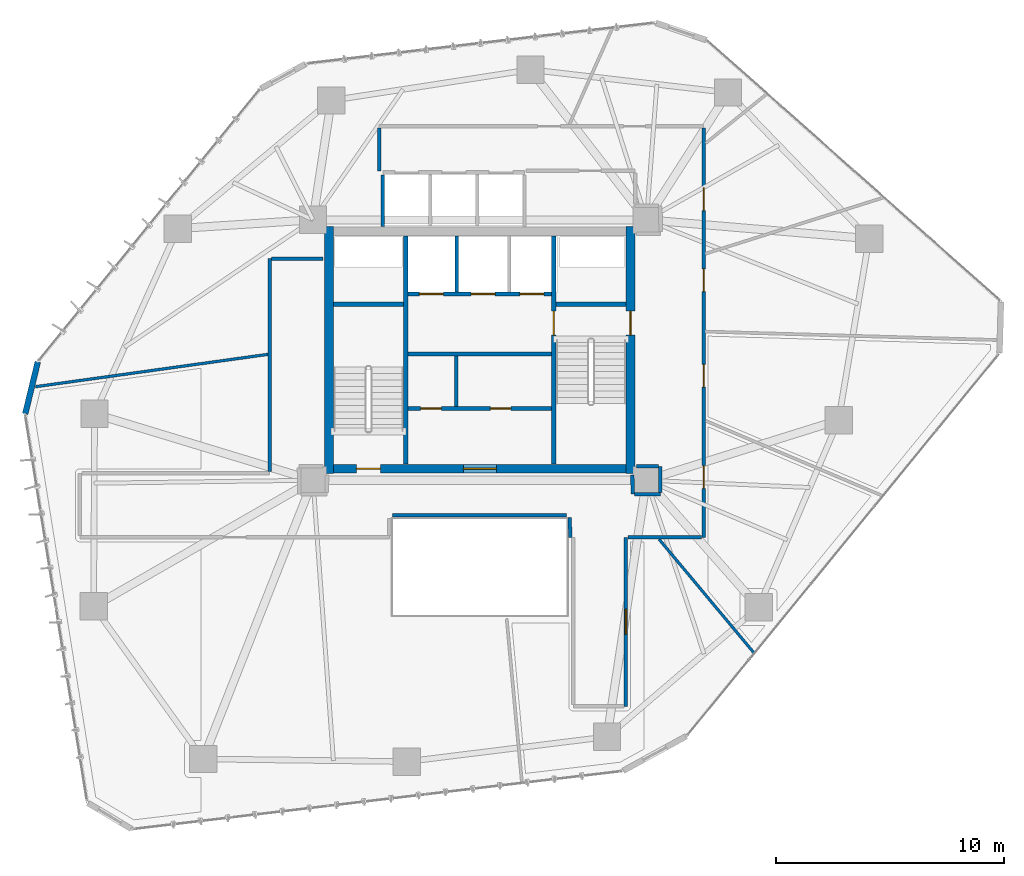
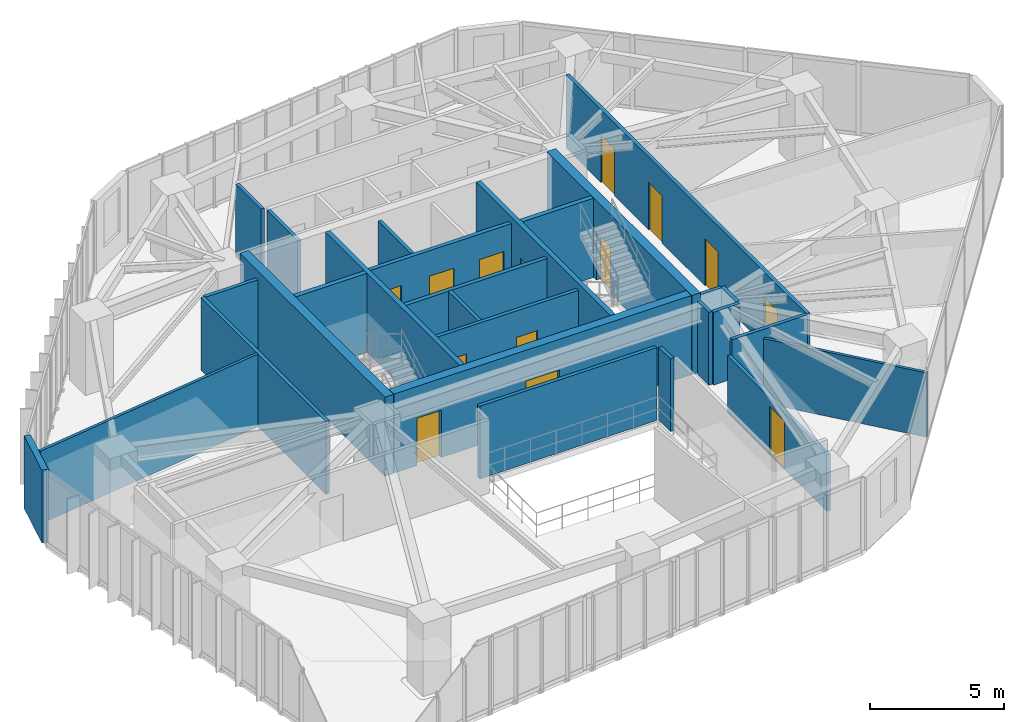
# One storey, part 19 of 24: 28 walls, 14 doors, 14 openings.
"""IFC4 building model written with IfcOpenShell, lengths in metres."""

from ifc_helpers import new_model, si_unit, direction, frame, frame_2d, origin, place, context, subcontext, project, spatial, rectangle, extrude, source, transform, mapped, material, layer, layer_set, type_object, type_shapes, element, fill, save


model = new_model("IFC4")

# Units and contexts
model_context = context("Model", 3, precision=1e-05, world=origin(), true_north=direction((0.0, 1.0)))
body_context = subcontext(model_context, "Body", "Model", "MODEL_VIEW")
ifc_project = project(units=[si_unit("LENGTHUNIT", "METRE"), si_unit("AREAUNIT", "SQUARE_METRE"), si_unit("VOLUMEUNIT", "CUBIC_METRE"), si_unit("PLANEANGLEUNIT", "RADIAN"), si_unit("MASSUNIT", "GRAM", prefix="KILO")], contexts=[model_context])

# Site, building, storey
site_placement = place(None, origin())
site = spatial("IfcSite", under=ifc_project, at=site_placement, CompositionType="ELEMENT")
building_placement = place(site_placement, origin())
building = spatial("IfcBuilding", under=site, at=building_placement, Name="Talar Marvaseh", CompositionType="ELEMENT")
storey_placement = place(building_placement, frame((0.0, 0.0, 111.0)))
storey = spatial("IfcBuildingStorey", under=building, at=storey_placement, Name="L28", CompositionType="ELEMENT", Elevation=111.0)

# Wall
ifc_material_1 = material(Name="Precast concrete C45/55", Category="concrete")
ifc_layer_1 = layer(ifc_material_1, 0.2548828125)
ifc_layer_set_1 = layer_set([ifc_layer_1], Name="Precast concrete C45/55")
wall_type_1 = type_object("IfcWallType", Name="Chamfered Hexagonal Corner Pier Wall Z2 255", PredefinedType="SOLIDWALL", material=ifc_layer_set_1)
wall_1_placement = place(storey_placement, frame((6.103515625, 28.408203125, 0.0), z_axis=(0.0, 0.0, 1.0), x_axis=(0.235510469141, 0.971871811982, 0.0)))
element("IfcWall", 1, at=wall_1_placement, inside=storey, type_object=wall_type_1, Name="L28 Chamfered Corner Limestone Pier 2", PredefinedType="SOLIDWALL", context=body_context, shape_type="SweptSolid", body=[
    extrude(rectangle(XDim=2.3408203125, YDim=0.2548828125, at=frame_2d((1.17041015625, 0.0))), origin(), (0.0, 0.0, 1.0), 3.31005859375),
])

# Wall, openings, doors
ifc_material_2 = material(Name="Gypsum Board Partition Assembly")
ifc_layer_2 = layer(ifc_material_2, 0.155029296875)
ifc_layer_set_2 = layer_set([ifc_layer_2], Name="Gypsum Board Partition Assembly")
wall_type_2 = type_object("IfcWallType", Name="Corridor Fire-Rated Acoustic Partition 155", PredefinedType="PARTITIONING", material=ifc_layer_set_2)
wall_2_placement = place(storey_placement, frame((22.865966796875, 28.639892578125, 0.0), z_axis=(0.0, 0.0, 1.0), x_axis=(1.0, 0.0, 0.0)))
wall_2 = element("IfcWall", 2, at=wall_2_placement, inside=storey, type_object=wall_type_2, Name="L28 Core BOH Partition", PredefinedType="PARTITIONING", context=body_context, shape_type="SweptSolid", body=[
    extrude(rectangle(XDim=6.26806640625, YDim=0.155029296875, at=frame_2d((3.134033203125, 0.0))), origin(), (0.0, 0.0, 1.0), 3.31005859375),
])
opening_1_placement = place(wall_2_placement, frame((0.550048828125, 0.0, 0.0)))
opening_1 = element("IfcOpeningElement", 3, at=opening_1_placement, cuts=wall_2, Name="Opening DR-BOH090", PredefinedType="OPENING", context=body_context, shape_type="SweptSolid", body=[
    extrude(rectangle(XDim=0.89990234375, YDim=2.10009765625, at=frame_2d((0.449951171875, 1.050048828125))), frame((0.0, 0.08740234375, 0.0), z_axis=(0.0, -1.0, 0.0), x_axis=(1.0, 0.0, 0.0)), (0.0, 0.0, 1.0), 0.175048828125),
])
opening_2_placement = place(wall_2_placement, frame((3.60009765625, 0.0, 0.0)))
opening_2 = element("IfcOpeningElement", 4, at=opening_2_placement, cuts=wall_2, Name="Opening DR-BOH090", PredefinedType="OPENING", context=body_context, shape_type="SweptSolid", body=[
    extrude(rectangle(XDim=0.89990234375, YDim=2.10009765625, at=frame_2d((0.449951171875, 1.050048828125))), frame((0.0, 0.08740234375, 0.0), z_axis=(0.0, -1.0, 0.0), x_axis=(1.0, 0.0, 0.0)), (0.0, 0.0, 1.0), 0.175048828125),
])
ifc_material_3 = material(Name="Fire-Rated Steel Door Leaf", Category="steel")
door_type_1 = type_object("IfcDoorType", Name="Core Back-of-House Service Door 900x2100", OperationType="NOTDEFINED", PredefinedType="DOOR", material=ifc_material_3)
shared_shape_1 = source(origin(), body_context, "Body", "SweptSolid", [
    extrude(rectangle(XDim=0.89990234375, YDim=2.10009765625, at=frame_2d((0.449951171875, 1.050048828125))), frame((0.0, 0.02490234375, 0.0), z_axis=(0.0, -1.0, 0.0), x_axis=(1.0, 0.0, 0.0)), (0.0, 0.0, 1.0), 0.050048828125),
])
type_shapes(door_type_1, [shared_shape_1])
door_1_placement = place(opening_1_placement, origin())
door_1 = element("IfcDoor", 5, at=door_1_placement, inside=storey, type_object=door_type_1, Name="L28 Cleaner Janitor Store Door", OperationType="SINGLE_SWING_LEFT", OverallHeight=2.10009765625, OverallWidth=0.89990234375, PredefinedType="DOOR", context=body_context, shape_type="MappedRepresentation", body=[
    mapped(shared_shape_1, transform((0.0, 0.0, 0.0), x_axis=(1.0, 0.0, 0.0), y_axis=(0.0, 1.0, 0.0), z_axis=(0.0, 0.0, 1.0), scale=1.0)),
])
fill(opening_1, door_1)
door_2_placement = place(opening_2_placement, origin())
door_2 = element("IfcDoor", 6, at=door_2_placement, inside=storey, type_object=door_type_1, Name="L28 Plant Core Electrical Meter Room Door", OperationType="SINGLE_SWING_RIGHT", OverallHeight=2.10009765625, OverallWidth=0.89990234375, PredefinedType="DOOR", context=body_context, shape_type="MappedRepresentation", body=[
    mapped(shared_shape_1, transform((0.0, 0.0, 0.0), x_axis=(1.0, 0.0, 0.0), y_axis=(0.0, 1.0, 0.0), z_axis=(0.0, 0.0, 1.0), scale=1.0)),
])
fill(opening_2, door_2)

# Wall
wall_3_placement = place(storey_placement, frame((24.97998046875, 28.719970703125, 0.0), z_axis=(0.0, 0.0, 1.0), x_axis=(0.0, 1.0, 0.0)))
element("IfcWall", 7, at=wall_3_placement, inside=storey, type_object=wall_type_2, Name="L28 Core BOH Partition", PredefinedType="PARTITIONING", context=body_context, shape_type="SweptSolid", body=[
    extrude(rectangle(XDim=2.219970703125, YDim=0.155029296875, at=frame_2d((1.10986328125, 0.0))), origin(), (0.0, 0.0, 1.0), 3.31005859375),
])

# Wall, openings, doors
wall_4_placement = place(storey_placement, frame((35.800048828125, 40.91650390625, 0.0), z_axis=(0.0, 0.0, 1.0), x_axis=(0.0, -1.0, 0.0)))
wall_4 = element("IfcWall", 8, at=wall_4_placement, inside=storey, type_object=wall_type_2, Name="L28 Interior Partition Wall", PredefinedType="PARTITIONING", context=body_context, shape_type="SweptSolid", body=[
    extrude(rectangle(XDim=17.91650390625, YDim=0.155029296875, at=frame_2d((8.958251953125, 0.0))), origin(), (0.0, 0.0, 1.0), 3.31005859375),
])
opening_3_placement = place(wall_4_placement, frame((14.77587890625, 0.0, 0.0)))
opening_3 = element("IfcOpeningElement", 9, at=opening_3_placement, cuts=wall_4, Name="Opening DR-RM100", PredefinedType="OPENING", context=body_context, shape_type="SweptSolid", body=[
    extrude(rectangle(XDim=1.0, YDim=2.14990234375, at=frame_2d((0.5, 1.074951171875))), frame((0.0, 0.08740234375, 0.0), z_axis=(0.0, -1.0, 0.0), x_axis=(1.0, 0.0, 0.0)), (0.0, 0.0, 1.0), 0.175048828125),
])
opening_4_placement = place(wall_4_placement, frame((10.34521484375, 0.0, 0.0)))
opening_4 = element("IfcOpeningElement", 10, at=opening_4_placement, cuts=wall_4, Name="Opening DR-RM100", PredefinedType="OPENING", context=body_context, shape_type="SweptSolid", body=[
    extrude(rectangle(XDim=1.0, YDim=2.14990234375, at=frame_2d((0.5, 1.074951171875))), frame((0.0, 0.08740234375, 0.0), z_axis=(0.0, -1.0, 0.0), x_axis=(1.0, 0.0, 0.0)), (0.0, 0.0, 1.0), 0.175048828125),
])
opening_5_placement = place(wall_4_placement, frame((6.162841796875, 0.0, 0.0)))
opening_5 = element("IfcOpeningElement", 11, at=opening_5_placement, cuts=wall_4, Name="Opening DR-RM100", PredefinedType="OPENING", context=body_context, shape_type="SweptSolid", body=[
    extrude(rectangle(XDim=1.0, YDim=2.14990234375, at=frame_2d((0.5, 1.074951171875))), frame((0.0, 0.08740234375, 0.0), z_axis=(0.0, -1.0, 0.0), x_axis=(1.0, 0.0, 0.0)), (0.0, 0.0, 1.0), 0.175048828125),
])
opening_6_placement = place(wall_4_placement, frame((2.610595703125, 0.0, 0.0)))
opening_6 = element("IfcOpeningElement", 12, at=opening_6_placement, cuts=wall_4, Name="Opening DR-RM100", PredefinedType="OPENING", context=body_context, shape_type="SweptSolid", body=[
    extrude(rectangle(XDim=1.0, YDim=2.14990234375, at=frame_2d((0.5, 1.074951171875))), frame((0.0, 0.08740234375, 0.0), z_axis=(0.0, -1.0, 0.0), x_axis=(1.0, 0.0, 0.0)), (0.0, 0.0, 1.0), 0.175048828125),
])
ifc_material_4 = material(Name="Acoustic Engineered Oak Timber", Category="wood")
door_type_2 = type_object("IfcDoorType", Name="Corridor Fire-Rated Gallery Door 1000x2150", OperationType="NOTDEFINED", PredefinedType="DOOR", material=ifc_material_4)
shared_shape_2 = source(origin(), body_context, "Body", "SweptSolid", [
    extrude(rectangle(XDim=1.0, YDim=2.14990234375, at=frame_2d((0.5, 1.074951171875))), frame((0.0, 0.02490234375, 0.0), z_axis=(0.0, -1.0, 0.0), x_axis=(1.0, 0.0, 0.0)), (0.0, 0.0, 1.0), 0.050048828125),
])
type_shapes(door_type_2, [shared_shape_2])
door_3_placement = place(opening_3_placement, origin())
door_3 = element("IfcDoor", 13, at=door_3_placement, inside=storey, type_object=door_type_2, Name="L28 Archival Research Office Door", OperationType="SINGLE_SWING_LEFT", OverallHeight=2.14990234375, OverallWidth=1.0, PredefinedType="DOOR", context=body_context, shape_type="MappedRepresentation", body=[
    mapped(shared_shape_2, transform((0.0, 0.0, 0.0), x_axis=(1.0, 0.0, 0.0), y_axis=(0.0, 1.0, 0.0), z_axis=(0.0, 0.0, 1.0), scale=1.0)),
])
fill(opening_3, door_3)
door_4_placement = place(opening_4_placement, origin())
door_4 = element("IfcDoor", 14, at=door_4_placement, inside=storey, type_object=door_type_2, Name="L28 Visitor Orientation Foyer Door", OperationType="SINGLE_SWING_RIGHT", OverallHeight=2.14990234375, OverallWidth=1.0, PredefinedType="DOOR", context=body_context, shape_type="MappedRepresentation", body=[
    mapped(shared_shape_2, transform((0.0, 0.0, 0.0), x_axis=(1.0, 0.0, 0.0), y_axis=(0.0, 1.0, 0.0), z_axis=(0.0, 0.0, 1.0), scale=1.0)),
])
fill(opening_4, door_4)
door_5_placement = place(opening_5_placement, origin())
door_5 = element("IfcDoor", 15, at=door_5_placement, inside=storey, type_object=door_type_2, Name="L28 Cultural Fellowship Office Door", OperationType="SINGLE_SWING_LEFT", OverallHeight=2.14990234375, OverallWidth=1.0, PredefinedType="DOOR", context=body_context, shape_type="MappedRepresentation", body=[
    mapped(shared_shape_2, transform((0.0, 0.0, 0.0), x_axis=(1.0, 0.0, 0.0), y_axis=(0.0, 1.0, 0.0), z_axis=(0.0, 0.0, 1.0), scale=1.0)),
])
fill(opening_5, door_5)
door_6_placement = place(opening_6_placement, origin())
door_6 = element("IfcDoor", 16, at=door_6_placement, inside=storey, type_object=door_type_2, Name="L28 Scholars' Registration Reception Door", OperationType="SINGLE_SWING_RIGHT", OverallHeight=2.14990234375, OverallWidth=1.0, PredefinedType="DOOR", context=body_context, shape_type="MappedRepresentation", body=[
    mapped(shared_shape_2, transform((0.0, 0.0, 0.0), x_axis=(1.0, 0.0, 0.0), y_axis=(0.0, 1.0, 0.0), z_axis=(0.0, 0.0, 1.0), scale=1.0)),
])
fill(opening_6, door_6)

# Wall, opening, door
wall_5_placement = place(storey_placement, frame((32.39990234375, 23.0, 0.0), z_axis=(0.0, 0.0, 1.0), x_axis=(0.0, -1.0, 0.0)))
wall_5 = element("IfcWall", 17, at=wall_5_placement, inside=storey, type_object=wall_type_2, Name="L28 Interior Partition Wall", PredefinedType="PARTITIONING", context=body_context, shape_type="SweptSolid", body=[
    extrude(rectangle(XDim=7.39990234375, YDim=0.155029296875, at=frame_2d((3.699951171875, 0.0))), origin(), (0.0, 0.0, 1.0), 2.590087890625),
])
opening_7_placement = place(wall_5_placement, frame((3.14990234375, 0.0, 0.0)))
opening_7 = element("IfcOpeningElement", 18, at=opening_7_placement, cuts=wall_5, Name="Opening DR-RM110", PredefinedType="OPENING", context=body_context, shape_type="SweptSolid", body=[
    extrude(rectangle(XDim=1.10009765625, YDim=2.199951171875, at=frame_2d((0.550048828125, 1.10009765625))), frame((0.0, 0.08740234375, 0.0), z_axis=(0.0, -1.0, 0.0), x_axis=(1.0, 0.0, 0.0)), (0.0, 0.0, 1.0), 0.175048828125),
])
door_type_3 = type_object("IfcDoorType", Name="Assembly and Reading Hall Door 1100x2200", OperationType="NOTDEFINED", PredefinedType="DOOR", material=ifc_material_4)
shared_shape_3 = source(origin(), body_context, "Body", "SweptSolid", [
    extrude(rectangle(XDim=1.10009765625, YDim=2.199951171875, at=frame_2d((0.550048828125, 1.10009765625))), frame((0.0, 0.02490234375, 0.0), z_axis=(0.0, -1.0, 0.0), x_axis=(1.0, 0.0, 0.0)), (0.0, 0.0, 1.0), 0.050048828125),
])
type_shapes(door_type_3, [shared_shape_3])
door_7_placement = place(opening_7_placement, origin())
door_7 = element("IfcDoor", 19, at=door_7_placement, inside=storey, type_object=door_type_3, Name="L28 Gallery Concierge Reception Door", OperationType="SINGLE_SWING_RIGHT", OverallHeight=2.199951171875, OverallWidth=1.10009765625, PredefinedType="DOOR", context=body_context, shape_type="MappedRepresentation", body=[
    mapped(shared_shape_3, transform((0.0, 0.0, 0.0), x_axis=(1.0, 0.0, 0.0), y_axis=(0.0, 1.0, 0.0), z_axis=(0.0, 0.0, 1.0), scale=1.0)),
])
fill(opening_7, door_7)

# Walls
wall_6_placement = place(storey_placement, frame((29.800048828125, 23.9599609375, 0.0), z_axis=(0.0, 0.0, 1.0), x_axis=(-0.999999995375, -9.617234e-05, 0.0)))
element("IfcWall", 20, at=wall_6_placement, inside=storey, type_object=wall_type_2, Name="L28 Interior Partition Wall", PredefinedType="PARTITIONING", context=body_context, shape_type="SweptSolid", body=[
    extrude(rectangle(XDim=7.61572265625, YDim=0.155029296875, at=frame_2d((3.807861328125, 0.0))), origin(), (0.0, 0.0, 1.0), 3.31005859375),
])
wall_7_placement = place(storey_placement, frame((16.800048828125, 25.883544921875, 0.0), z_axis=(0.0, 0.0, 1.0), x_axis=(0.0, 1.0, 0.0)))
element("IfcWall", 21, at=wall_7_placement, inside=storey, type_object=wall_type_2, Name="L28 Interior Partition Wall", PredefinedType="PARTITIONING", context=body_context, shape_type="SweptSolid", body=[
    extrude(rectangle(XDim=9.31640625, YDim=0.155029296875, at=frame_2d((4.658203125, 0.0))), origin(), (0.0, 0.0, 1.0), 3.31005859375),
])
wall_8_placement = place(storey_placement, frame((16.883544921875, 35.199951171875, 0.0), z_axis=(0.0, 0.0, 1.0), x_axis=(1.0, 0.0, 0.0)))
element("IfcWall", 22, at=wall_8_placement, inside=storey, type_object=wall_type_2, Name="L28 Interior Partition Wall", PredefinedType="PARTITIONING", context=body_context, shape_type="SweptSolid", body=[
    extrude(rectangle(XDim=2.246337890625, YDim=0.155029296875, at=frame_2d((1.123046875, 0.0))), origin(), (0.0, 0.0, 1.0), 3.31005859375),
])
wall_9_placement = place(storey_placement, frame((32.68505859375, 25.72998046875, 0.0), z_axis=(0.0, 0.0, 1.0), x_axis=(0.006382231486, -0.999979633353, 0.0)))
element("IfcWall", 23, at=wall_9_placement, inside=storey, type_object=wall_type_2, Name="L28 Interior Partition Wall", PredefinedType="PARTITIONING", context=body_context, shape_type="SweptSolid", body=[
    extrude(rectangle(XDim=0.841552734375, YDim=0.155029296875, at=frame_2d((0.4208984375, 0.0))), origin(), (0.0, 0.0, 1.0), 3.31005859375),
])
wall_10_placement = place(storey_placement, frame((32.77392578125, 24.88818359375, 0.0), z_axis=(0.0, 0.0, 1.0), x_axis=(0.999999164303, -0.001292823742, 0.0)))
element("IfcWall", 24, at=wall_10_placement, inside=storey, type_object=wall_type_2, Name="L28 Interior Partition Wall", PredefinedType="PARTITIONING", context=body_context, shape_type="SweptSolid", body=[
    extrude(rectangle(XDim=1.133056640625, YDim=0.155029296875, at=frame_2d((0.56640625, 0.0))), origin(), (0.0, 0.0, 1.0), 3.31005859375),
])
wall_11_placement = place(storey_placement, frame((33.907470703125, 24.97021484375, 0.0), z_axis=(0.0, 0.0, 1.0), x_axis=(0.003642572792, 0.99999336581, 0.0)))
element("IfcWall", 25, at=wall_11_placement, inside=storey, type_object=wall_type_2, Name="L28 Interior Partition Wall", PredefinedType="PARTITIONING", context=body_context, shape_type="SweptSolid", body=[
    extrude(rectangle(XDim=1.139404296875, YDim=0.155029296875, at=frame_2d((0.56982421875, 0.0))), origin(), (0.0, 0.0, 1.0), 3.31005859375),
])
wall_12_placement = place(storey_placement, frame((33.828125, 26.110107421875, 0.0), z_axis=(0.0, 0.0, 1.0), x_axis=(-0.999987011364, 0.005096773758, 0.0)))
element("IfcWall", 26, at=wall_12_placement, inside=storey, type_object=wall_type_2, Name="L28 Interior Partition Wall", PredefinedType="PARTITIONING", context=body_context, shape_type="SweptSolid", body=[
    extrude(rectangle(XDim=0.9580078125, YDim=0.155029296875, at=frame_2d((0.47900390625, 0.0))), origin(), (0.0, 0.0, 1.0), 3.31005859375),
])
wall_13_placement = place(storey_placement, frame((21.60009765625, 39.0400390625, 0.0), z_axis=(0.0, 0.0, 1.0), x_axis=(0.0, 1.0, 0.0)))
element("IfcWall", 27, at=wall_13_placement, inside=storey, type_object=wall_type_2, Name="L28 Interior Partition Wall", PredefinedType="PARTITIONING", context=body_context, shape_type="SweptSolid", body=[
    extrude(rectangle(XDim=1.87646484375, YDim=0.155029296875, at=frame_2d((0.938232421875, 0.0))), origin(), (0.0, 0.0, 1.0), 3.31005859375),
])
wall_14_placement = place(storey_placement, frame((35.716552734375, 23.0, 0.0), z_axis=(0.0, 0.0, 1.0), x_axis=(-1.0, 0.0, 0.0)))
element("IfcWall", 28, at=wall_14_placement, inside=storey, type_object=wall_type_2, Name="L28 Interior Partition Wall", PredefinedType="PARTITIONING", context=body_context, shape_type="SweptSolid", body=[
    extrude(rectangle(XDim=3.233154296875, YDim=0.155029296875, at=frame_2d((1.61669921875, 0.0))), origin(), (0.0, 0.0, 1.0), 3.31005859375),
])
wall_15_placement = place(storey_placement, frame((29.9599609375, 23.0, 0.0), z_axis=(0.0, 0.0, 1.0), x_axis=(-0.021467444279, 0.999769547864, 0.0)))
element("IfcWall", 29, at=wall_15_placement, inside=storey, type_object=wall_type_2, Name="L28 Interior Partition Wall", PredefinedType="PARTITIONING", context=body_context, shape_type="SweptSolid", body=[
    extrude(rectangle(XDim=0.875732421875, YDim=0.155029296875, at=frame_2d((0.43798828125, 0.0))), origin(), (0.0, 0.0, 1.0), 3.31005859375),
])
ifc_layer_3 = layer(ifc_material_2, 0.1201171875)
ifc_layer_set_3 = layer_set([ifc_layer_3], Name="Gypsum Board Partition Assembly")
wall_type_3 = type_object("IfcWallType", Name="Demountable Studio Room Partition 120", PredefinedType="PARTITIONING", material=ifc_layer_set_3)
wall_16_placement = place(storey_placement, frame((6.555419921875, 29.59375, 0.0), z_axis=(0.0, 0.0, 1.0), x_axis=(0.990448168955, 0.137885548966, 0.0)))
element("IfcWall", 30, at=wall_16_placement, inside=storey, type_object=wall_type_3, Name="L28 Interior Partition Wall", PredefinedType="PARTITIONING", context=body_context, shape_type="SweptSolid", body=[
    extrude(rectangle(XDim=10.2783203125, YDim=0.1201171875, at=frame_2d((5.13916015625, 0.0))), origin(), (0.0, 0.0, 1.0), 3.31005859375),
])
wall_17_placement = place(storey_placement, frame((33.849853515625, 22.91650390625, 0.0), z_axis=(0.0, 0.0, 1.0), x_axis=(0.641091931625, -0.767464093757, 0.0)))
element("IfcWall", 31, at=wall_17_placement, inside=storey, type_object=wall_type_3, Name="L28 Interior Partition Wall", PredefinedType="PARTITIONING", context=body_context, shape_type="SweptSolid", body=[
    extrude(rectangle(XDim=6.479736328125, YDim=0.1201171875, at=frame_2d((3.23974609375, 0.0))), origin(), (0.0, 0.0, 1.0), 2.927001953125),
])
ifc_layer_4 = layer(ifc_material_1, 0.14501953125)
ifc_layer_set_4 = layer_set([ifc_layer_4], Name="Precast concrete C45/55")
wall_type_4 = type_object("IfcWallType", Name="Fire-Rated Lift Divider Wall 145", PredefinedType="SOLIDWALL", material=ifc_layer_set_4)
wall_18_placement = place(storey_placement, frame((25.0, 33.743408203125, 0.0), z_axis=(0.0, 0.0, 1.0), x_axis=(0.0, 1.0, 0.0)))
element("IfcWall", 32, at=wall_18_placement, inside=storey, type_object=wall_type_4, Name="L28 FFL-1/FFL-2 Divider", PredefinedType="SOLIDWALL", context=body_context, shape_type="SweptSolid", body=[
    extrude(rectangle(XDim=2.45654296875, YDim=0.14501953125, at=frame_2d((1.228271484375, 0.0))), origin(), (0.0, 0.0, 1.0), 3.31005859375),
])
wall_19_placement = place(storey_placement, frame((21.760009765625, 36.60009765625, 0.0), z_axis=(0.0, 0.0, 1.0), x_axis=(0.0, 1.0, 0.0)))
element("IfcWall", 33, at=wall_19_placement, inside=storey, type_object=wall_type_4, Name="L28 Low-Rise Bank West Wall", PredefinedType="SOLIDWALL", context=body_context, shape_type="SweptSolid", body=[
    extrude(rectangle(XDim=2.266357421875, YDim=0.14501953125, at=frame_2d((1.13330078125, 0.0))), origin(), (0.0, 0.0, 1.0), 3.31005859375),
])

# Wall, openings, doors
ifc_layer_5 = layer(ifc_material_1, 0.175048828125)
ifc_layer_set_5 = layer_set([ifc_layer_5], Name="Precast concrete C45/55")
wall_type_5 = type_object("IfcWallType", Name="Fire-Rated Lift Hoistway Enclosure Wall 175", PredefinedType="SOLIDWALL", material=ifc_layer_set_5)
wall_20_placement = place(storey_placement, frame((22.860107421875, 33.64990234375, 0.0), z_axis=(0.0, 0.0, 1.0), x_axis=(1.0, 0.0, 0.0)))
wall_20 = element("IfcWall", 34, at=wall_20_placement, inside=storey, type_object=wall_type_5, Name="L28 Firefighting and Service Lift Front Wall", PredefinedType="SOLIDWALL", context=body_context, shape_type="SweptSolid", body=[
    extrude(rectangle(XDim=6.27978515625, YDim=0.175048828125, at=frame_2d((3.139892578125, 0.0))), origin(), (0.0, 0.0, 1.0), 3.31005859375),
])
opening_8_placement = place(wall_20_placement, frame((0.5, 0.0, 0.0)))
opening_8 = element("IfcOpeningElement", 35, at=opening_8_placement, cuts=wall_20, Name="Opening LD-FF1", PredefinedType="OPENING", context=body_context, shape_type="SweptSolid", body=[
    extrude(rectangle(XDim=1.050048828125, YDim=2.14990234375, at=frame_2d((0.52490234375, 1.074951171875))), frame((0.0, 0.09765625, 0.0), z_axis=(0.0, -1.0, 0.0), x_axis=(1.0, 0.0, 0.0)), (0.0, 0.0, 1.0), 0.195068359375),
])
opening_9_placement = place(wall_20_placement, frame((2.760009765625, 0.0, 0.0)))
opening_9 = element("IfcOpeningElement", 36, at=opening_9_placement, cuts=wall_20, Name="Opening LD-FF2", PredefinedType="OPENING", context=body_context, shape_type="SweptSolid", body=[
    extrude(rectangle(XDim=1.050048828125, YDim=2.14990234375, at=frame_2d((0.52490234375, 1.074951171875))), frame((0.0, 0.09765625, 0.0), z_axis=(0.0, -1.0, 0.0), x_axis=(1.0, 0.0, 0.0)), (0.0, 0.0, 1.0), 0.195068359375),
])
opening_10_placement = place(wall_20_placement, frame((4.89990234375, 0.0, 0.0)))
opening_10 = element("IfcOpeningElement", 37, at=opening_10_placement, cuts=wall_20, Name="Opening LD-SV1", PredefinedType="OPENING", context=body_context, shape_type="SweptSolid", body=[
    extrude(rectangle(XDim=1.050048828125, YDim=2.14990234375, at=frame_2d((0.52490234375, 1.074951171875))), frame((0.0, 0.09765625, 0.0), z_axis=(0.0, -1.0, 0.0), x_axis=(1.0, 0.0, 0.0)), (0.0, 0.0, 1.0), 0.195068359375),
])
ifc_material_5 = material(Name="Stainless Steel Grade 316", Category="steel")
door_type_4 = type_object("IfcDoorType", Name="Automatic Sliding Lift Landing Door 1050x2150", OperationType="NOTDEFINED", PredefinedType="DOOR", material=ifc_material_5)
shared_shape_4 = source(origin(), body_context, "Body", "SweptSolid", [
    extrude(rectangle(XDim=1.050048828125, YDim=2.14990234375, at=frame_2d((0.52490234375, 1.074951171875))), frame((0.0, 0.02490234375, 0.0), z_axis=(0.0, -1.0, 0.0), x_axis=(1.0, 0.0, 0.0)), (0.0, 0.0, 1.0), 0.050048828125),
])
type_shapes(door_type_4, [shared_shape_4])
door_8_placement = place(opening_8_placement, origin())
door_8 = element("IfcDoor", 38, at=door_8_placement, inside=storey, type_object=door_type_4, Name="L28 Lift FFL-1 Sliding Landing Door", OperationType="SLIDING_TO_LEFT", OverallHeight=2.14990234375, OverallWidth=1.050048828125, PredefinedType="DOOR", context=body_context, shape_type="MappedRepresentation", body=[
    mapped(shared_shape_4, transform((0.0, 0.0, 0.0), x_axis=(1.0, 0.0, 0.0), y_axis=(0.0, 1.0, 0.0), z_axis=(0.0, 0.0, 1.0), scale=1.0)),
])
fill(opening_8, door_8)
door_9_placement = place(opening_9_placement, origin())
door_9 = element("IfcDoor", 39, at=door_9_placement, inside=storey, type_object=door_type_4, Name="L28 Lift FFL-2 Sliding Landing Door", OperationType="SLIDING_TO_LEFT", OverallHeight=2.14990234375, OverallWidth=1.050048828125, PredefinedType="DOOR", context=body_context, shape_type="MappedRepresentation", body=[
    mapped(shared_shape_4, transform((0.0, 0.0, 0.0), x_axis=(1.0, 0.0, 0.0), y_axis=(0.0, 1.0, 0.0), z_axis=(0.0, 0.0, 1.0), scale=1.0)),
])
fill(opening_9, door_9)
door_10_placement = place(opening_10_placement, origin())
door_10 = element("IfcDoor", 40, at=door_10_placement, inside=storey, type_object=door_type_4, Name="L28 Lift SVL-1 Sliding Landing Door", OperationType="SLIDING_TO_LEFT", OverallHeight=2.14990234375, OverallWidth=1.050048828125, PredefinedType="DOOR", context=body_context, shape_type="MappedRepresentation", body=[
    mapped(shared_shape_4, transform((0.0, 0.0, 0.0), x_axis=(1.0, 0.0, 0.0), y_axis=(0.0, 1.0, 0.0), z_axis=(0.0, 0.0, 1.0), scale=1.0)),
])
fill(opening_10, door_10)

# Walls
wall_21_placement = place(storey_placement, frame((22.860107421875, 31.02001953125, 0.0), z_axis=(0.0, 0.0, 1.0), x_axis=(1.0, 0.0, 0.0)))
element("IfcWall", 41, at=wall_21_placement, inside=storey, type_object=wall_type_5, Name="L28 Firefighting Lobby South Smoke Wall", PredefinedType="SOLIDWALL", context=body_context, shape_type="SweptSolid", body=[
    extrude(rectangle(XDim=6.27978515625, YDim=0.175048828125, at=frame_2d((3.139892578125, 0.0))), origin(), (0.0, 0.0, 1.0), 3.31005859375),
])
ifc_material_6 = material(Name="Concrete C60/75", Category="concrete")
ifc_layer_6 = layer(ifc_material_6, 0.3798828125)
ifc_layer_set_6 = layer_set([ifc_layer_6], Name="Concrete C60/75")
wall_type_6 = type_object("IfcWallType", Name="Mid Core Reinforced Concrete Shear Wall 380", PredefinedType="SHEAR", material=ifc_layer_set_6)
wall_22_placement = place(storey_placement, frame((19.39990234375, 25.800048828125, 0.0), z_axis=(0.0, 0.0, 1.0), x_axis=(0.0, 1.0, 0.0)))
element("IfcWall", 42, at=wall_22_placement, inside=storey, type_object=wall_type_6, Name="L28 West Core Shear Wall", PredefinedType="SHEAR", context=body_context, shape_type="SweptSolid", body=[
    extrude(rectangle(XDim=10.800048828125, YDim=0.3798828125, at=frame_2d((5.39990234375, 0.0))), origin(), (0.0, 0.0, 1.0), 3.60009765625),
])

# Wall, opening, door
wall_23_placement = place(storey_placement, frame((32.60009765625, 36.60009765625, 0.0), z_axis=(0.0, 0.0, 1.0), x_axis=(0.0, -1.0, 0.0)))
wall_23 = element("IfcWall", 43, at=wall_23_placement, inside=storey, type_object=wall_type_6, Name="L28 East Core Shear Wall", PredefinedType="SHEAR", context=body_context, shape_type="SweptSolid", body=[
    extrude(rectangle(XDim=10.800048828125, YDim=0.3798828125, at=frame_2d((5.39990234375, 0.0))), origin(), (0.0, 0.0, 1.0), 3.60009765625),
])
opening_11_placement = place(wall_23_placement, frame((3.699951171875, 0.0, 0.0)))
opening_11 = element("IfcOpeningElement", 44, at=opening_11_placement, cuts=wall_23, Name="Opening DR-ST105", PredefinedType="OPENING", context=body_context, shape_type="SweptSolid", body=[
    extrude(rectangle(XDim=1.050048828125, YDim=2.14990234375, at=frame_2d((0.52490234375, 1.074951171875))), frame((0.0, 0.199951171875, 0.0), z_axis=(0.0, -1.0, 0.0), x_axis=(1.0, 0.0, 0.0)), (0.0, 0.0, 1.0), 0.39990234375),
])
door_type_5 = type_object("IfcDoorType", Name="Protected Exit Stair Fire Door 1050x2150", OperationType="NOTDEFINED", PredefinedType="DOOR", material=ifc_material_3)
shared_shape_5 = source(origin(), body_context, "Body", "SweptSolid", [
    extrude(rectangle(XDim=1.050048828125, YDim=2.14990234375, at=frame_2d((0.52490234375, 1.074951171875))), frame((0.0, 0.02490234375, 0.0), z_axis=(0.0, -1.0, 0.0), x_axis=(1.0, 0.0, 0.0)), (0.0, 0.0, 1.0), 0.050048828125),
])
type_shapes(door_type_5, [shared_shape_5])
door_11_placement = place(opening_11_placement, origin())
door_11 = element("IfcDoor", 45, at=door_11_placement, inside=storey, type_object=door_type_5, Name="L28 Stair ST-2 Corridor Exit Door", OperationType="SINGLE_SWING_LEFT", OverallHeight=2.14990234375, OverallWidth=1.050048828125, PredefinedType="DOOR", context=body_context, shape_type="MappedRepresentation", body=[
    mapped(shared_shape_5, transform((0.0, 0.0, 0.0), x_axis=(1.0, 0.0, 0.0), y_axis=(0.0, 1.0, 0.0), z_axis=(0.0, 0.0, 1.0), scale=1.0)),
])
fill(opening_11, door_11)

# Wall, openings, doors
wall_24_placement = place(storey_placement, frame((32.39990234375, 26.0, 0.0), z_axis=(0.0, 0.0, 1.0), x_axis=(-1.0, 0.0, 0.0)))
wall_24 = element("IfcWall", 46, at=wall_24_placement, inside=storey, type_object=wall_type_6, Name="L28 South Core Shear Wall", PredefinedType="SHEAR", context=body_context, shape_type="SweptSolid", body=[
    extrude(rectangle(XDim=12.7998046875, YDim=0.3798828125, at=frame_2d((6.39990234375, 0.0))), origin(), (0.0, 0.0, 1.0), 3.60009765625),
])
opening_12_placement = place(wall_24_placement, frame((10.75, 0.0, 0.0)))
opening_12 = element("IfcOpeningElement", 47, at=opening_12_placement, cuts=wall_24, Name="Opening DR-ST105", PredefinedType="OPENING", context=body_context, shape_type="SweptSolid", body=[
    extrude(rectangle(XDim=1.050048828125, YDim=2.14990234375, at=frame_2d((0.52490234375, 1.074951171875))), frame((0.0, 0.199951171875, 0.0), z_axis=(0.0, -1.0, 0.0), x_axis=(1.0, 0.0, 0.0)), (0.0, 0.0, 1.0), 0.39990234375),
])
opening_13_placement = place(wall_24_placement, frame((5.669921875, 0.0, 0.0)))
opening_13 = element("IfcOpeningElement", 48, at=opening_13_placement, cuts=wall_24, Name="Opening DR-LBY145", PredefinedType="OPENING", context=body_context, shape_type="SweptSolid", body=[
    extrude(rectangle(XDim=1.449951171875, YDim=2.199951171875, at=frame_2d((0.72509765625, 1.10009765625))), frame((0.0, 0.199951171875, 0.0), z_axis=(0.0, -1.0, 0.0), x_axis=(1.0, 0.0, 0.0)), (0.0, 0.0, 1.0), 0.39990234375),
])
door_12_placement = place(opening_12_placement, origin())
door_12 = element("IfcDoor", 49, at=door_12_placement, inside=storey, type_object=door_type_5, Name="L28 Stair ST-1 Exit Door", OperationType="SINGLE_SWING_RIGHT", OverallHeight=2.14990234375, OverallWidth=1.050048828125, PredefinedType="DOOR", context=body_context, shape_type="MappedRepresentation", body=[
    mapped(shared_shape_5, transform((0.0, 0.0, 0.0), x_axis=(1.0, 0.0, 0.0), y_axis=(0.0, 1.0, 0.0), z_axis=(0.0, 0.0, 1.0), scale=1.0)),
])
fill(opening_12, door_12)
door_type_6 = type_object("IfcDoorType", Name="Core Lift Lobby Double Smoke Door 1450x2200", OperationType="NOTDEFINED", PredefinedType="DOOR", material=ifc_material_3)
shared_shape_6 = source(origin(), body_context, "Body", "SweptSolid", [
    extrude(rectangle(XDim=1.449951171875, YDim=2.199951171875, at=frame_2d((0.72509765625, 1.10009765625))), frame((0.0, 0.02490234375, 0.0), z_axis=(0.0, -1.0, 0.0), x_axis=(1.0, 0.0, 0.0)), (0.0, 0.0, 1.0), 0.050048828125),
])
type_shapes(door_type_6, [shared_shape_6])
door_13_placement = place(opening_13_placement, origin())
door_13 = element("IfcDoor", 50, at=door_13_placement, inside=storey, type_object=door_type_6, Name="L28 Passenger Lift Lobby Entrance Door", OperationType="DOUBLE_DOOR_SINGLE_SWING", OverallHeight=2.199951171875, OverallWidth=1.449951171875, PredefinedType="DOOR", context=body_context, shape_type="MappedRepresentation", body=[
    mapped(shared_shape_6, transform((0.0, 0.0, 0.0), x_axis=(1.0, 0.0, 0.0), y_axis=(0.0, 1.0, 0.0), z_axis=(0.0, 0.0, 1.0), scale=1.0)),
])
fill(opening_13, door_13)

# Wall
ifc_material_7 = material(Name="Concrete C50/60", Category="concrete")
ifc_layer_7 = layer(ifc_material_7, 0.199951171875)
ifc_layer_set_7 = layer_set([ifc_layer_7], Name="Concrete C50/60")
wall_type_7 = type_object("IfcWallType", Name="Stair Shaft Structural Concrete Shear Wall 200", PredefinedType="SHEAR", material=ifc_layer_set_7)
wall_25_placement = place(storey_placement, frame((22.760009765625, 26.199951171875, 0.0), z_axis=(0.0, 0.0, 1.0), x_axis=(0.0, 1.0, 0.0)))
element("IfcWall", 51, at=wall_25_placement, inside=storey, type_object=wall_type_7, Name="L28 Core West Stair Shear Wall", PredefinedType="SHEAR", context=body_context, shape_type="SweptSolid", body=[
    extrude(rectangle(XDim=10.0, YDim=0.199951171875, at=frame_2d((5.0, 0.0))), origin(), (0.0, 0.0, 1.0), 3.60009765625),
])

# Wall, opening, door
wall_26_placement = place(storey_placement, frame((29.239990234375, 26.199951171875, 0.0), z_axis=(0.0, 0.0, 1.0), x_axis=(0.0, 1.0, 0.0)))
wall_26 = element("IfcWall", 52, at=wall_26_placement, inside=storey, type_object=wall_type_7, Name="L28 Core East Stair Shear Wall", PredefinedType="SHEAR", context=body_context, shape_type="SweptSolid", body=[
    extrude(rectangle(XDim=10.0, YDim=0.199951171875, at=frame_2d((5.0, 0.0))), origin(), (0.0, 0.0, 1.0), 3.60009765625),
])
opening_14_placement = place(wall_26_placement, frame((5.64990234375, 0.0, 0.0)))
opening_14 = element("IfcOpeningElement", 53, at=opening_14_placement, cuts=wall_26, Name="Opening DR-ST105", PredefinedType="OPENING", context=body_context, shape_type="SweptSolid", body=[
    extrude(rectangle(XDim=1.050048828125, YDim=2.14990234375, at=frame_2d((0.52490234375, 1.074951171875))), frame((0.0, 0.10986328125, 0.0), z_axis=(0.0, -1.0, 0.0), x_axis=(1.0, 0.0, 0.0)), (0.0, 0.0, 1.0), 0.219970703125),
])
door_14_placement = place(opening_14_placement, origin())
door_14 = element("IfcDoor", 54, at=door_14_placement, inside=storey, type_object=door_type_5, Name="L28 Firefighting Lobby to Stair ST-2 Door", OperationType="SINGLE_SWING_LEFT", OverallHeight=2.14990234375, OverallWidth=1.050048828125, PredefinedType="DOOR", context=body_context, shape_type="MappedRepresentation", body=[
    mapped(shared_shape_5, transform((0.0, 0.0, 0.0), x_axis=(1.0, 0.0, 0.0), y_axis=(0.0, 1.0, 0.0), z_axis=(0.0, 0.0, 1.0), scale=1.0)),
])
fill(opening_14, door_14)

# Walls
for number, where, z_axis, x_axis, name in (
    (55, (19.60009765625, 33.199951171875, 0.0), (0.0, 0.0, 1.0), (1.0, 0.0, 0.0), "L28 Stair ST-1 North Shear Wall"),
    (56, (29.340087890625, 33.199951171875, 0.0), (0.0, 0.0, 1.0), (1.0, 0.0, 0.0), "L28 Stair ST-2 North Shear Wall"),
):
    element("IfcWall", number, at=place(storey_placement, frame(where, z_axis=z_axis, x_axis=x_axis)), inside=storey, type_object=wall_type_7, Name=name, PredefinedType="SHEAR", context=body_context, shape_type="SweptSolid", body=[
        extrude(rectangle(XDim=3.059814453125, YDim=0.199951171875, at=frame_2d((1.52978515625, 0.0))), origin(), (0.0, 0.0, 1.0), 3.60009765625),
    ])

save(model, "model.ifc")
